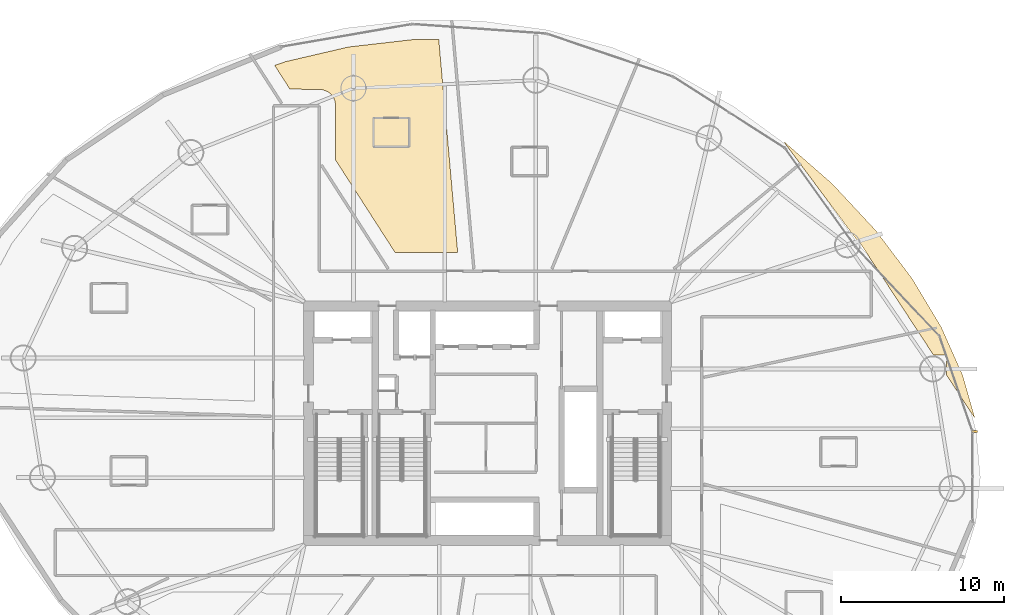
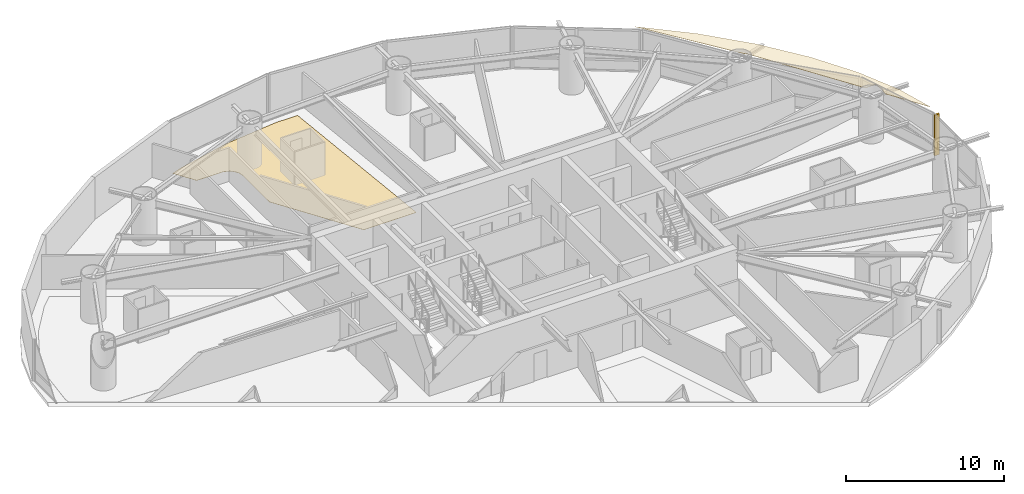
# One storey, part 27 of 27: 2 coverings, 1 shading device.
"""IFC4 building model written with IfcOpenShell, lengths in metres."""

from ifc_helpers import new_model, si_unit, direction, frame, origin, origin_2d, place, context, subcontext, project, spatial, polyline, rectangle, outline, extrude, material, layer, layer_set, type_object, element, save


model = new_model("IFC4")

# Units and contexts
model_context = context("Model", 3, precision=1e-05, world=origin(), true_north=direction((0.0, 1.0)))
body_context = subcontext(model_context, "Body", "Model", "MODEL_VIEW")
ifc_project = project(units=[si_unit("LENGTHUNIT", "METRE"), si_unit("AREAUNIT", "SQUARE_METRE"), si_unit("VOLUMEUNIT", "CUBIC_METRE"), si_unit("PLANEANGLEUNIT", "RADIAN"), si_unit("MASSUNIT", "GRAM", prefix="KILO")], contexts=[model_context])

# Site, building, storey
site_placement = place(None, origin())
site = spatial("IfcSite", under=ifc_project, at=site_placement, CompositionType="ELEMENT")
building_placement = place(site_placement, origin())
building = spatial("IfcBuilding", under=site, at=building_placement, Name="Bramvorn Convention Spire", CompositionType="ELEMENT")
storey_placement = place(building_placement, frame((0.0, 0.0, 79.89990234375)))
storey = spatial("IfcBuildingStorey", under=building, at=storey_placement, Name="L18", CompositionType="ELEMENT", Elevation=79.89990234375)

# Coverings
ifc_material_1 = material(Name="Champagne Bronze Aluminium Composite Soffit", Category="aluminium")
ifc_layer_1 = layer(ifc_material_1, 0.02490234375)
ifc_layer_set_1 = layer_set([ifc_layer_1], Name="Champagne Bronze Aluminium Composite Soffit - COV-CLAD-SOFFIT-25")
covering_type_1 = type_object("IfcCoveringType", Name="COV-CLAD-SOFFIT-25", PredefinedType="CLADDING", material=ifc_layer_set_1)
covering_1_placement = place(storey_placement, frame((0.0, 0.0, 3.22509765625)))
element("IfcCovering", 1, at=covering_1_placement, inside=storey, type_object=covering_type_1, Name="L17 double-height Sky Garden bronze soffit", PredefinedType="CLADDING", context=body_context, shape_type="SweptSolid", body=[
    extrude(outline(polyline([(60.963623046875, 36.973388671875), (60.965087890625, 36.942138671875), (65.38330078125, 30.2001953125), (66.197021484375, 30.19580078125), (66.198486328125, 28.952392578125), (67.927490234375, 26.307373046875), (67.19189453125, 28.9130859375), (65.870361328125, 31.890625), (64.07373046875, 34.891357421875), (61.83154296875, 37.854736328125), (59.1767578125, 40.703857421875), (56.148193359375, 43.351318359375), (60.643798828125, 37.30517578125), (60.963623046875, 36.973388671875)])), origin(), (0.0, 0.0, 1.0), 0.02490234375),
])
ifc_material_2 = material(Name="Solution-Dyed Wool Broadloom Hospitality Carpet", Category="textile")
ifc_layer_2 = layer(ifc_material_2, 0.014892578125)
ifc_layer_set_2 = layer_set([ifc_layer_2], Name="Solution-Dyed Wool Broadloom Hospitality Carpet - FLR-CARPET-15")
covering_type_2 = type_object("IfcCoveringType", Name="FLR-CARPET-15", PredefinedType="FLOORING", material=ifc_layer_set_2)
covering_2_placement = place(storey_placement, origin())
element("IfcCovering", 2, at=covering_2_placement, inside=storey, type_object=covering_type_2, Name="Hotel Suite 1804 wool broadloom carpet", PredefinedType="FLOORING", context=body_context, shape_type="SweptSolid", body=[
    extrude(outline(polyline([(25.592529296875, 48.21240234375), (24.922607421875, 47.97900390625), (25.86181640625, 46.52001953125), (27.805419921875, 46.508056640625), (28.179443359375, 46.37158203125), (28.33935546875, 46.251708984375), (28.521728515625, 46.029296875), (28.6123046875, 45.837890625), (28.6689453125, 45.544189453125), (28.669921875, 42.1572265625), (32.3115234375, 36.5), (36.16357421875, 36.5), (35.00341796875, 49.55810546875), (33.430908203125, 49.56884765625), (29.456298828125, 49.111572265625), (25.592529296875, 48.21240234375)])), origin(), (0.0, 0.0, 1.0), 0.01513671875),
])

# Shading device
ifc_material_3 = material(Name="Extruded Champagne Bronze Aluminium Lancet Fin", Category="aluminium")
shading_device_type = type_object("IfcShadingDeviceType", Name="SHD-FIN-LANCET", PredefinedType="SHUTTER", material=ifc_material_3)
shading_device_placement = place(storey_placement, frame((67.911376953125, 25.490478515625, 0.050048828125), z_axis=(0.0, 0.0, 1.0), x_axis=(0.999854991109, -0.017029291084, 0.0)))
element("IfcShadingDevice", 3, at=shading_device_placement, inside=storey, type_object=shading_device_type, Name="L18 Gothic bronze wind-corner fin 01", PredefinedType="SHUTTER", context=body_context, shape_type="SweptSolid", body=[
    extrude(rectangle(XDim=0.360107421875, YDim=0.139892578125, at=origin_2d()), origin(), (0.0, 0.0, 1.0), 3.14990234375),
])

save(model, "model.ifc")
